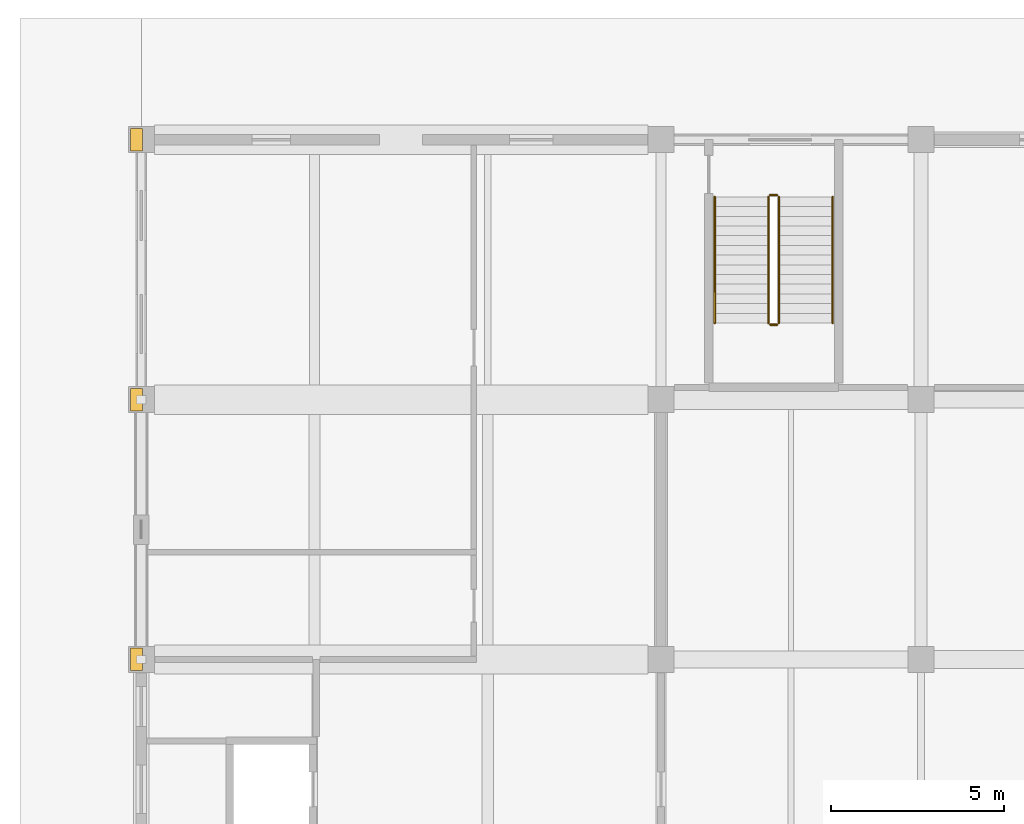
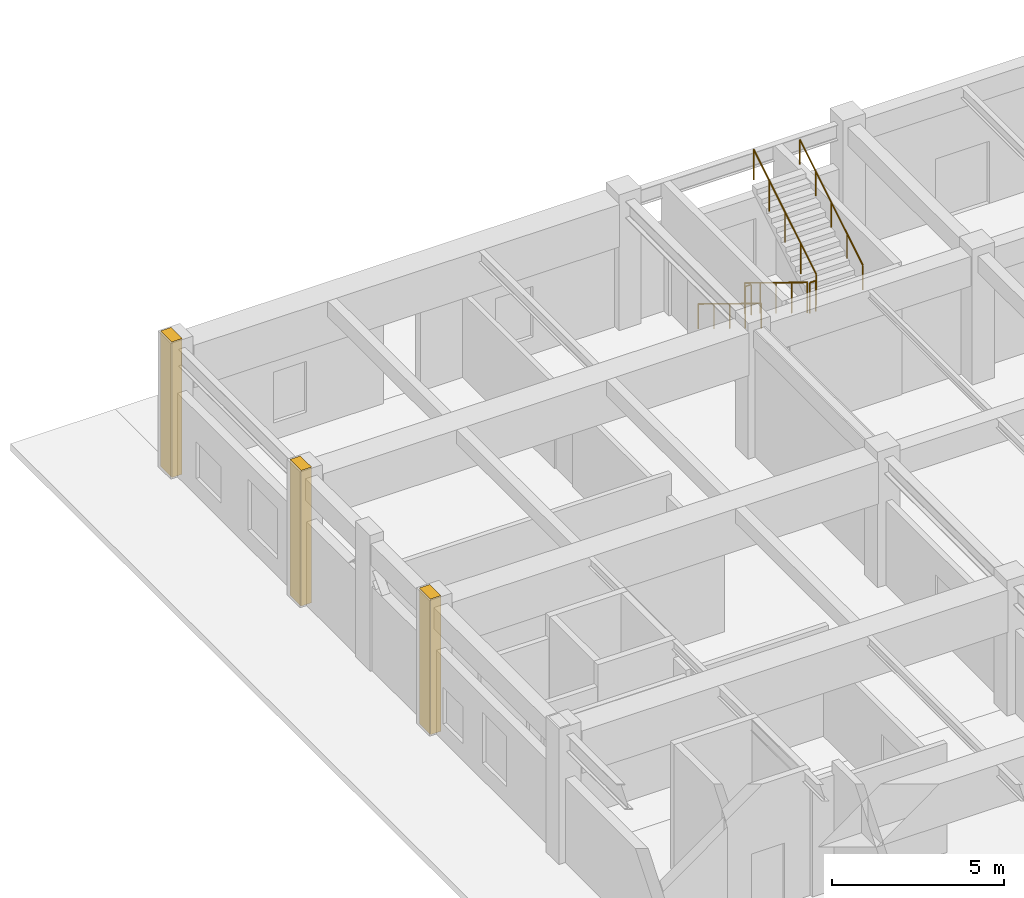
# One storey, part 115 of 122: 6 railings, 3 coverings.
"""IFC4 building model written with IfcOpenShell, lengths in metres."""

import ifcopenshell
import ifcopenshell.guid

model = None  # the IFC model being written
_history = None  # IfcOwnerHistory: only IFC2X3 demands one
_inside = {}  # id of a spatial element -> (the spatial element, [elements in it])
_under = {}  # id of a project, library or spatial element -> (it, [spatial elements below it])
_declared = {}  # id of a project -> (the project, [libraries it declares])
_typed = {}  # id of a type object -> (the type object, [elements of that type])
_made_of = {}  # id of a material, layer set ... -> (it, [elements and type objects made of it])


def new_model(schema):
    """Start an empty IFC model of exactly this schema.

    Asked for "IFC4X3", IfcOpenShell would pick the latest addendum, in which some entities
    have other attributes; the version numbers below select the first issue.
    IFC2X3 requires an IfcOwnerHistory on every rooted entity: one is made here for all.
    """
    global model, _history
    if schema == "IFC4X3":
        model = ifcopenshell.file(schema_version=(4, 3, 0, 0))
    else:
        model = ifcopenshell.file(schema=schema)
    _inside.clear()
    _under.clear()
    _declared.clear()
    _typed.clear()
    _made_of.clear()
    _history = None
    if model.schema == "IFC2X3":
        org = make("IfcOrganization", Name="unknown")
        user = make(
            "IfcPersonAndOrganization",
            ThePerson=make("IfcPerson", FamilyName="unknown"),
            TheOrganization=org,
        )
        app = make(
            "IfcApplication",
            ApplicationDeveloper=org,
            Version="unknown",
            ApplicationFullName="unknown",
            ApplicationIdentifier="unknown",
        )
        _history = make(
            "IfcOwnerHistory",
            OwningUser=user,
            OwningApplication=app,
            ChangeAction="ADDED",
            CreationDate=0,
        )
    return model


def make(cls, **values):
    """One entity of the class cls with the attributes given. An attribute that is None is left unset."""
    return model.create_entity(
        cls, **{name: value for name, value in values.items() if value is not None}
    )


def rooted(cls, **values):
    """An entity with a GlobalId (a new one), such as an element, a storey or a relation."""
    return make(cls, GlobalId=ifcopenshell.guid.new(), OwnerHistory=_history, **values)


def si_unit(unit_type, name, prefix=None):
    """IfcSIUnit, for example si_unit("LENGTHUNIT", "METRE", prefix="MILLI")."""
    return make("IfcSIUnit", UnitType=unit_type, Prefix=prefix, Name=name)


def assignment(units):
    """IfcUnitAssignment: the units of a project."""
    return None if units is None else make("IfcUnitAssignment", Units=units)


def point(xyz):
    """IfcCartesianPoint."""
    return None if xyz is None else make("IfcCartesianPoint", Coordinates=xyz)


def direction(xyz):
    """IfcDirection."""
    return None if xyz is None else make("IfcDirection", DirectionRatios=xyz)


def frame(location, z_axis=None, x_axis=None):
    """IfcAxis2Placement3D, a coordinate frame: its origin and axes. An axis left out is left unset."""
    return make(
        "IfcAxis2Placement3D",
        Location=point(location),
        Axis=direction(z_axis),
        RefDirection=direction(x_axis),
    )


def frame_2d(location, x_axis=None):
    """IfcAxis2Placement2D, a coordinate frame in the plane: its origin and x axis."""
    return make(
        "IfcAxis2Placement2D", Location=point(location), RefDirection=direction(x_axis)
    )


def origin():
    """The frame at (0, 0, 0) with its axes left unset."""
    return frame((0.0, 0.0, 0.0))


def origin_2d():
    """The frame at (0, 0) in the plane with its x axis left unset."""
    return frame_2d((0.0, 0.0))


def place(relative_to, where):
    """IfcLocalPlacement: puts the frame where relative to a parent placement (None: the world)."""
    return make(
        "IfcLocalPlacement", PlacementRelTo=relative_to, RelativePlacement=where
    )


def context(
    kind, dimensions, precision=None, world=None, true_north=None, identifier=None
):
    """IfcGeometricRepresentationContext, for example the 3D "Model" context."""
    return make(
        "IfcGeometricRepresentationContext",
        ContextIdentifier=identifier,
        ContextType=kind,
        CoordinateSpaceDimension=dimensions,
        Precision=precision,
        WorldCoordinateSystem=world,
        TrueNorth=true_north,
    )


def subcontext(parent, identifier, kind, view, scale=None):
    """IfcGeometricRepresentationSubContext, for example "Body" below "Model"."""
    return make(
        "IfcGeometricRepresentationSubContext",
        ContextIdentifier=identifier,
        ContextType=kind,
        ParentContext=parent,
        TargetScale=scale,
        TargetView=view,
    )


def project(units=None, contexts=None):
    """IfcProject with its units and contexts."""
    return rooted(
        "IfcProject",
        Name="project",
        RepresentationContexts=contexts,
        UnitsInContext=assignment(units),
    )


def spatial(cls, under=None, at=None, **own):
    """A site, building, storey or space (cls), placed at a placement, below another one or the project."""
    s = rooted(cls, ObjectPlacement=at, **own)
    if under is not None:
        _under.setdefault(under.id(), (under, []))[1].append(s)
    return s


def profile(cls, at=None, kind="AREA", **sizes):
    """A parametric profile (cls). Its sizes go by their IFC names, for example OverallWidth=200.0."""
    return make(cls, ProfileType=kind, Position=at, **sizes)


def rectangle(**sizes):
    """IfcRectangleProfileDef."""
    return profile("IfcRectangleProfileDef", **sizes)


def circle(**sizes):
    """IfcCircleProfileDef."""
    return profile("IfcCircleProfileDef", **sizes)


def extrude(swept, where, along, depth):
    """IfcExtrudedAreaSolid: the profile swept, set in the frame where, extruded along a direction by depth."""
    return make(
        "IfcExtrudedAreaSolid",
        SweptArea=swept,
        Position=where,
        ExtrudedDirection=direction(along),
        Depth=depth,
    )


def shape(context_of_items, identifier, shape_type, items):
    """IfcShapeRepresentation: the items that make up one representation, for example the "Body"."""
    return make(
        "IfcShapeRepresentation",
        ContextOfItems=context_of_items,
        RepresentationIdentifier=identifier,
        RepresentationType=shape_type,
        Items=items,
    )


def material(Name=None, Category=None):
    """IfcMaterial."""
    return make("IfcMaterial", Name=Name, Category=Category)


def layer(
    of_material, thickness, ventilated=None, Name=None, Category=None, Priority=None
):
    """IfcMaterialLayer: one layer of a wall or slab, of a material (None: an air gap)."""
    return make(
        "IfcMaterialLayer",
        Material=of_material,
        LayerThickness=thickness,
        IsVentilated=ventilated,
        Name=Name,
        Category=Category,
        Priority=Priority,
    )


def layer_set(layers, Name=None):
    """IfcMaterialLayerSet."""
    return make("IfcMaterialLayerSet", MaterialLayers=layers, LayerSetName=Name)


def made_of(thing, what):
    """Note that an element or type object is made of a material, layer set ...; save() writes the relation."""
    if what is not None:
        _made_of.setdefault(what.id(), (what, []))[1].append(thing)
    return thing


def type_object(cls, material=None, **own):
    """A type object (cls), such as IfcWallType, which elements share."""
    return made_of(rooted(cls, **own), material)


def element(
    cls,
    number,
    at=None,
    inside=None,
    cuts=None,
    type_object=None,
    material=None,
    context=None,
    identifier="Body",
    shape_type=None,
    held_by="IfcProductDefinitionShape",
    body=None,
    shapes=None,
    **own,
):
    """One element of the class cls, such as IfcWall. Its Tag is "e" and its number.

    at: its placement. inside: the storey or other place that contains it. cuts: it is an
    opening in that element (IfcRelVoidsElement). A single representation is given by context,
    identifier, shape_type and body (its items); several are given by shapes. held_by: the class
    of the entity that holds the representations. save() writes the other relations.
    """
    e = rooted(cls, Tag="e%d" % number, ObjectPlacement=at, **own)
    if body is not None:
        shapes = [shape(context, identifier, shape_type, body)]
    if shapes is not None:
        e.Representation = make(held_by, Representations=shapes)
    if inside is not None:
        _inside.setdefault(inside.id(), (inside, []))[1].append(e)
    if cuts is not None:
        rooted(
            "IfcRelVoidsElement", RelatingBuildingElement=cuts, RelatedOpeningElement=e
        )
    if type_object is not None:
        _typed.setdefault(type_object.id(), (type_object, []))[1].append(e)
    return made_of(e, material)


def aggregate(whole, parts):
    """IfcRelAggregates: a whole, such as a stair, and the parts it consists of."""
    return rooted("IfcRelAggregates", RelatingObject=whole, RelatedObjects=parts)


def save(model, path):
    """Write the relations noted so far, then the file.

    IfcRelAggregates (storeys below a building ...), IfcRelContainedInSpatialStructure (elements
    in a storey), IfcRelDefinesByType, IfcRelAssociatesMaterial and IfcRelDeclares: one each for
    every whole, place, type object, material and project.
    """
    for whole, parts in _under.values():
        aggregate(whole, parts)
    for where, things in _inside.values():
        rooted(
            "IfcRelContainedInSpatialStructure",
            RelatedElements=things,
            RelatingStructure=where,
        )
    for kind, things in _typed.values():
        rooted("IfcRelDefinesByType", RelatedObjects=things, RelatingType=kind)
    for what, things in _made_of.values():
        rooted("IfcRelAssociatesMaterial", RelatedObjects=things, RelatingMaterial=what)
    for by, libraries in _declared.values():
        rooted("IfcRelDeclares", RelatingContext=by, RelatedDefinitions=libraries)
    model.write(path)


model = new_model("IFC4")

# Units and contexts
model_context = context("Model", 3, precision=1e-05, world=origin(), true_north=direction((0.0, 1.0)))
body_context = subcontext(model_context, "Body", "Model", "MODEL_VIEW")
ifc_project = project(units=[si_unit("LENGTHUNIT", "METRE"), si_unit("AREAUNIT", "SQUARE_METRE"), si_unit("VOLUMEUNIT", "CUBIC_METRE"), si_unit("PLANEANGLEUNIT", "RADIAN"), si_unit("MASSUNIT", "GRAM", prefix="KILO")], contexts=[model_context])

# Site, building, storey
site_placement = place(None, origin())
site = spatial("IfcSite", under=ifc_project, at=site_placement, CompositionType="ELEMENT")
building_placement = place(site_placement, origin())
building = spatial("IfcBuilding", under=site, at=building_placement, Name="Qasida Concert Hall", CompositionType="ELEMENT")
storey_placement = place(building_placement, origin())
storey = spatial("IfcBuildingStorey", under=building, at=storey_placement, Name="L00", CompositionType="ELEMENT", Elevation=0.0)

# Coverings
ifc_material_1 = material(Name="Projecting fluted Lebanese limestone Art Deco pilaster", Category="masonry")
ifc_layer_1 = layer(ifc_material_1, 0.35009765625, Name="Projecting fluted Lebanese limestone Art Deco pilaster")
ifc_layer_set_1 = layer_set([ifc_layer_1], Name="Projecting fluted Lebanese limestone Art Deco pilaster")
covering_type = type_object("IfcCoveringType", Name="CV-PIL-650", PredefinedType="CLADDING", material=ifc_layer_set_1)
for number, where, z_axis, x_axis, name in (
    (1, (-0.135009765625, 97.5, 0.0), (0.0, 0.0, 1.0), (1.0, 0.0, 0.0), "L00 fluted limestone pilaster 0286"),
    (2, (-0.135009765625, 105.0, 0.0), (0.0, 0.0, 1.0), (1.0, 0.0, 0.0), "L00 fluted limestone pilaster 0293"),
    (3, (-0.135009765625, 112.5, 0.0), (0.0, 0.0, 1.0), (1.0, 0.0, 0.0), "L00 fluted limestone pilaster 0300"),
):
    element("IfcCovering", number, at=place(storey_placement, frame(where, z_axis=z_axis, x_axis=x_axis)), inside=storey, type_object=covering_type, Name=name, PredefinedType="CLADDING", context=body_context, shape_type="SweptSolid", body=[
        extrude(rectangle(XDim=0.35009765625, YDim=0.64990234375, at=origin_2d()), origin(), (0.0, 0.0, 1.0), 4.800048828125),
    ])

# Railings
ifc_material_2 = material(Name="Patinated architectural bronze and laminated glass infill", Category="glass")
ifc_layer_2 = layer(ifc_material_2, 0.080078125, Name="Patinated architectural bronze and laminated glass infill")
ifc_layer_set_2 = layer_set([ifc_layer_2], Name="Patinated architectural bronze and laminated glass infill")
railing_type_1 = type_object("IfcRailingType", Name="RL-GRD-1100", PredefinedType="GUARDRAIL", material=ifc_layer_set_2)
railing_1_placement = place(storey_placement, frame((18.10009765625, 110.85009765625, 0.17138671875)))
element("IfcRailing", 4, at=railing_1_placement, inside=storey, type_object=railing_type_1, Name="L00 ST-06 stair guard 1", PredefinedType="GUARDRAIL", context=body_context, shape_type="SweptSolid", body=[
    extrude(circle(Radius=0.02392578125, at=origin_2d()), frame((0.0, 0.0, 1.076171875), z_axis=(0.0, -0.852865859571, 0.52213008492), x_axis=(1.0, 0.0, 0.0)), (0.0, 0.0, 1.0), 4.26806640625),
    extrude(circle(Radius=0.02099609375, at=origin_2d()), origin(), (0.0, 0.0, 1.0), 1.052001953125),
    extrude(circle(Radius=0.02099609375, at=origin_2d()), frame((0.0, -0.91015625, 0.55712890625)), (0.0, 0.0, 1.0), 1.052001953125),
    extrude(circle(Radius=0.02099609375, at=origin_2d()), frame((0.0, -1.820068359375, 1.1142578125)), (0.0, 0.0, 1.0), 1.052001953125),
    extrude(circle(Radius=0.02099609375, at=origin_2d()), frame((0.0, -2.72998046875, 1.67138671875)), (0.0, 0.0, 1.0), 1.052001953125),
    extrude(circle(Radius=0.02099609375, at=origin_2d()), frame((0.0, -3.64013671875, 2.228515625)), (0.0, 0.0, 1.0), 1.052001953125),
])
railing_2_placement = place(storey_placement, frame((18.14990234375, 107.159912109375, 2.39990234375)))
element("IfcRailing", 5, at=railing_2_placement, inside=storey, type_object=railing_type_1, Name="L00 ST-06 stair guard 2", PredefinedType="GUARDRAIL", context=body_context, shape_type="SweptSolid", body=[
    extrude(circle(Radius=0.02392578125, at=origin_2d()), frame((0.0, 0.0, 1.076171875), z_axis=(1.0, 0.0, 0.0), x_axis=(0.0, 1.0, 0.0)), (0.0, 0.0, 1.0), 0.2001953125),
    extrude(circle(Radius=0.02099609375, at=origin_2d()), origin(), (0.0, 0.0, 1.0), 1.052001953125),
    extrude(circle(Radius=0.02099609375, at=origin_2d()), frame((0.2001953125, 0.0, 0.0)), (0.0, 0.0, 1.0), 1.052001953125),
])
railing_3_placement = place(storey_placement, frame((18.39990234375, 107.2099609375, 2.571533203125)))
element("IfcRailing", 6, at=railing_3_placement, inside=storey, type_object=railing_type_1, Name="L00 ST-06 stair guard 3", PredefinedType="GUARDRAIL", context=body_context, shape_type="SweptSolid", body=[
    extrude(circle(Radius=0.02392578125, at=origin_2d()), frame((0.0, 0.0, 1.076171875), z_axis=(0.0, 0.852865859571, 0.52213008492), x_axis=(-1.0, 0.0, 0.0)), (0.0, 0.0, 1.0), 4.26806640625),
    extrude(circle(Radius=0.02099609375, at=origin_2d()), origin(), (0.0, 0.0, 1.0), 1.052001953125),
    extrude(circle(Radius=0.02099609375, at=origin_2d()), frame((0.0, 0.91015625, 0.55712890625)), (0.0, 0.0, 1.0), 1.052001953125),
    extrude(circle(Radius=0.02099609375, at=origin_2d()), frame((0.0, 1.820068359375, 1.1142578125)), (0.0, 0.0, 1.0), 1.052001953125),
    extrude(circle(Radius=0.02099609375, at=origin_2d()), frame((0.0, 2.72998046875, 1.67138671875)), (0.0, 0.0, 1.0), 1.052001953125),
    extrude(circle(Radius=0.02099609375, at=origin_2d()), frame((0.0, 3.64013671875, 2.228515625)), (0.0, 0.0, 1.0), 1.052001953125),
])
railing_4_placement = place(storey_placement, frame((18.14990234375, 110.89990234375, 0.0)))
element("IfcRailing", 7, at=railing_4_placement, inside=storey, type_object=railing_type_1, Name="L00 ST-06 stair guard 4", PredefinedType="GUARDRAIL", context=body_context, shape_type="SweptSolid", body=[
    extrude(circle(Radius=0.02392578125, at=origin_2d()), frame((0.0, 0.0, 1.076171875), z_axis=(1.0, 0.0, 0.0), x_axis=(0.0, 1.0, 0.0)), (0.0, 0.0, 1.0), 0.2001953125),
    extrude(circle(Radius=0.02099609375, at=origin_2d()), origin(), (0.0, 0.0, 1.0), 1.052001953125),
    extrude(circle(Radius=0.02099609375, at=origin_2d()), frame((0.2001953125, 0.0, 0.0)), (0.0, 0.0, 1.0), 1.052001953125),
])
ifc_material_3 = material(Name="Patinated tubular architectural bronze", Category="steel")
ifc_layer_3 = layer(ifc_material_3, 0.050048828125, Name="Patinated tubular architectural bronze")
ifc_layer_set_3 = layer_set([ifc_layer_3], Name="Patinated tubular architectural bronze")
railing_type_2 = type_object("IfcRailingType", Name="RL-HND-900", PredefinedType="HANDRAIL", material=ifc_layer_set_3)
railing_5_placement = place(storey_placement, frame((16.550048828125, 110.85009765625, 0.17138671875)))
element("IfcRailing", 8, at=railing_5_placement, inside=storey, type_object=railing_type_2, Name="L00 ST-06 stair handrail 1", PredefinedType="HANDRAIL", context=body_context, shape_type="SweptSolid", body=[
    extrude(circle(Radius=0.02392578125, at=origin_2d()), frame((0.0, 0.0, 0.8759765625), z_axis=(0.0, -0.852865859571, 0.52213008492), x_axis=(1.0, 0.0, 0.0)), (0.0, 0.0, 1.0), 4.26806640625),
    extrude(circle(Radius=0.02099609375, at=origin_2d()), origin(), (0.0, 0.0, 1.0), 0.851806640625),
    extrude(circle(Radius=0.02099609375, at=origin_2d()), frame((0.0, -0.91015625, 0.55712890625)), (0.0, 0.0, 1.0), 0.851806640625),
    extrude(circle(Radius=0.02099609375, at=origin_2d()), frame((0.0, -1.820068359375, 1.1142578125)), (0.0, 0.0, 1.0), 0.851806640625),
    extrude(circle(Radius=0.02099609375, at=origin_2d()), frame((0.0, -2.72998046875, 1.67138671875)), (0.0, 0.0, 1.0), 0.851806640625),
    extrude(circle(Radius=0.02099609375, at=origin_2d()), frame((0.0, -3.64013671875, 2.228515625)), (0.0, 0.0, 1.0), 0.851806640625),
])
railing_6_placement = place(storey_placement, frame((19.949951171875, 107.2099609375, 2.571533203125)))
element("IfcRailing", 9, at=railing_6_placement, inside=storey, type_object=railing_type_2, Name="L00 ST-06 stair handrail 2", PredefinedType="HANDRAIL", context=body_context, shape_type="SweptSolid", body=[
    extrude(circle(Radius=0.02392578125, at=origin_2d()), frame((0.0, 0.0, 0.8759765625), z_axis=(0.0, 0.852865859571, 0.52213008492), x_axis=(-1.0, 0.0, 0.0)), (0.0, 0.0, 1.0), 4.26806640625),
    extrude(circle(Radius=0.02099609375, at=origin_2d()), origin(), (0.0, 0.0, 1.0), 0.851806640625),
    extrude(circle(Radius=0.02099609375, at=origin_2d()), frame((0.0, 0.91015625, 0.55712890625)), (0.0, 0.0, 1.0), 0.851806640625),
    extrude(circle(Radius=0.02099609375, at=origin_2d()), frame((0.0, 1.820068359375, 1.1142578125)), (0.0, 0.0, 1.0), 0.851806640625),
    extrude(circle(Radius=0.02099609375, at=origin_2d()), frame((0.0, 2.72998046875, 1.67138671875)), (0.0, 0.0, 1.0), 0.851806640625),
    extrude(circle(Radius=0.02099609375, at=origin_2d()), frame((0.0, 3.64013671875, 2.228515625)), (0.0, 0.0, 1.0), 0.851806640625),
])

save(model, "model.ifc")
